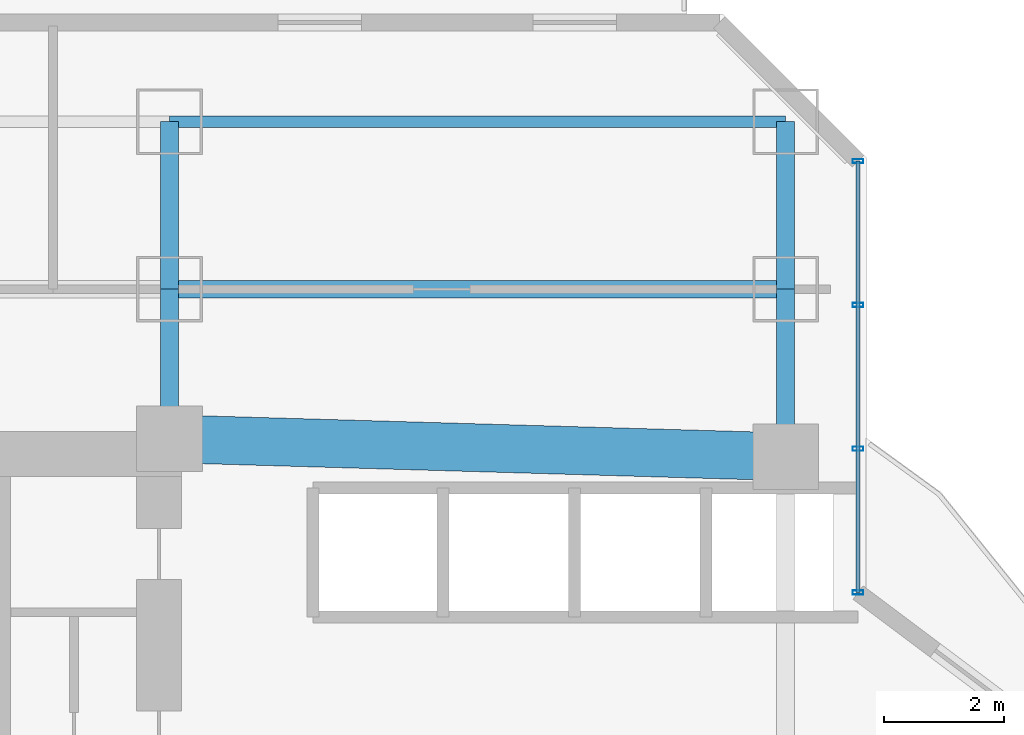
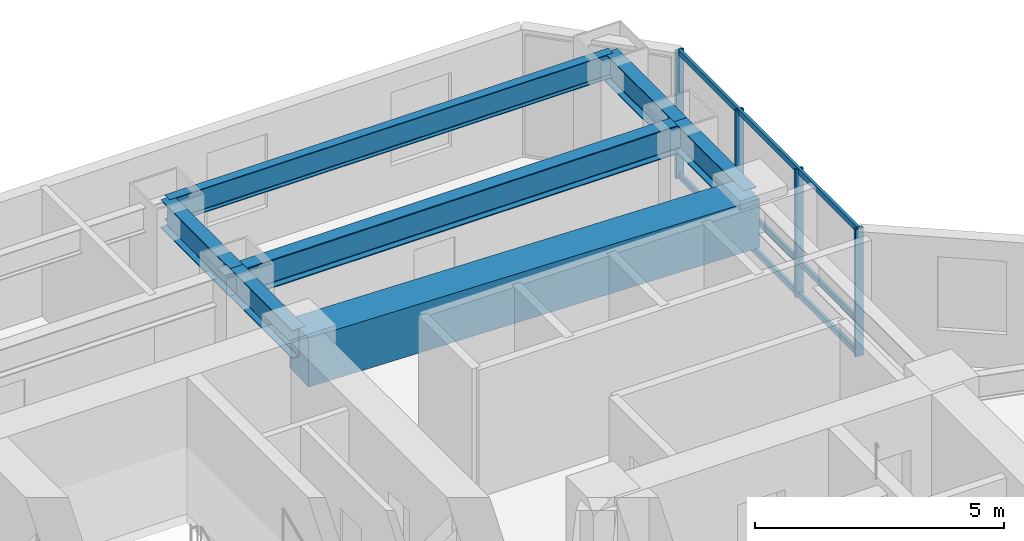
# One storey, part 24 of 38: 7 beams, 7 members, 1 element without a shape of its own.
"""IFC4 building model written with IfcOpenShell, lengths in metres."""

from ifc_helpers import new_model, si_unit, direction, frame, origin, origin_2d, place, context, subcontext, project, spatial, rectangle, hollow_rectangle, i_section, extrude, material, layer, layer_set, material_profile, profile_set, type_object, element, aggregate, save


model = new_model("IFC4")

# Units and contexts
model_context = context("Model", 3, precision=1e-05, world=origin(), true_north=direction((0.0, 1.0)))
body_context = subcontext(model_context, "Body", "Model", "MODEL_VIEW")
ifc_project = project(units=[si_unit("LENGTHUNIT", "METRE"), si_unit("AREAUNIT", "SQUARE_METRE"), si_unit("VOLUMEUNIT", "CUBIC_METRE"), si_unit("PLANEANGLEUNIT", "RADIAN"), si_unit("MASSUNIT", "GRAM", prefix="KILO")], contexts=[model_context])

# Site, building, storey
site_placement = place(None, origin())
site = spatial("IfcSite", under=ifc_project, at=site_placement, CompositionType="ELEMENT")
building_placement = place(site_placement, origin())
building = spatial("IfcBuilding", under=site, at=building_placement, Name="Hatsunagi Terrace Concourse", CompositionType="ELEMENT")
storey_placement = place(building_placement, frame((0.0, 0.0, 63.39990234375)))
storey = spatial("IfcBuildingStorey", under=building, at=storey_placement, Name="L16", CompositionType="ELEMENT", Elevation=63.39990234375)

# Beam
ifc_material_1 = material(Name="Concrete Fc60", Category="concrete")
ifc_material_profile_1 = material_profile(ifc_material_1, rectangle(XDim=0.800048828125, YDim=1.199951171875, at=origin_2d()), Name="RC-800x1200")
ifc_profile_set_1 = profile_set([ifc_material_profile_1], Name="Concrete Fc60")
beam_type_1 = type_object("IfcBeamType", Name="CoreCouplingBeam_RC_800x1200", PredefinedType="BEAM", material=ifc_profile_set_1)
beam_1_placement = place(storey_placement, frame((33.35009765625, 43.300048828125, 2.530029296875), z_axis=(0.999575947545, -0.029119153303, 0.0), x_axis=(0.029119153303, 0.999575947545, 0.0)))
element("IfcBeam", 1, at=beam_1_placement, inside=storey, type_object=beam_type_1, Name="Beam CB-01 CB-L16-2", PredefinedType="BEAM", context=body_context, shape_type="SweptSolid", body=[
    extrude(rectangle(XDim=0.800048828125, YDim=1.199951171875, at=origin_2d()), origin(), (0.0, 0.0, 1.0), 10.30419921875),
])

# Curtain wall, members
ifc_material_2 = material(Name="Anodised Aluminium Alloy 6063-T5", Category="aluminium")
ifc_layer = layer(ifc_material_2, 0.199951171875)
ifc_layer_set = layer_set([ifc_layer], Name="HotelFacade_CW02")
curtain_wall_type = type_object("IfcCurtainWallType", Name="HotelFacade_CW02", PredefinedType="NOTDEFINED", material=ifc_layer_set)
curtain_wall_placement = place(storey_placement, origin())
curtain_wall = element("IfcCurtainWall", 2, at=curtain_wall_placement, inside=storey, type_object=curtain_wall_type, Name="Unitised Curtain Wall CW-02 CW-L16-13", PredefinedType="NOTDEFINED")
ifc_material_3 = material(Name="Anodised Aluminium Alloy 6063-T5", Category="aluminium")
ifc_material_profile_2 = material_profile(ifc_material_3, hollow_rectangle(XDim=0.070068359375, YDim=0.179931640625, WallThickness=0.00390625, at=origin_2d()), Name="ALU-MUL-180x70x4")
ifc_profile_set_2 = profile_set([ifc_material_profile_2], Name="Anodised Aluminium Alloy 6063-T5")
member_type_1 = type_object("IfcMemberType", Name="CurtainWallMullion_180x70", PredefinedType="MULLION", material=ifc_profile_set_2)
member_1_placement = place(storey_placement, frame((44.860107421875, 47.94189453125, 0.0), z_axis=(0.0, 0.0, 1.0), x_axis=(0.0, -1.0, 0.0)))
member_1 = element("IfcMember", 3, at=member_1_placement, type_object=member_type_1, Name="Curtain Wall Mullion MUL-02", PredefinedType="MULLION", context=body_context, shape_type="SweptSolid", body=[
    extrude(hollow_rectangle(XDim=0.070068359375, YDim=0.179931640625, WallThickness=0.00390625, at=origin_2d()), origin(), (0.0, 0.0, 1.0), 3.130126953125),
])
member_2_placement = place(storey_placement, frame((44.860107421875, 45.5380859375, 0.0), z_axis=(0.0, 0.0, 1.0), x_axis=(0.0, -1.0, 0.0)))
member_2 = element("IfcMember", 4, at=member_2_placement, type_object=member_type_1, Name="Curtain Wall Mullion MUL-02", PredefinedType="MULLION", context=body_context, shape_type="SweptSolid", body=[
    extrude(hollow_rectangle(XDim=0.070068359375, YDim=0.179931640625, WallThickness=0.00390625, at=origin_2d()), origin(), (0.0, 0.0, 1.0), 3.130126953125),
])
member_3_placement = place(storey_placement, frame((44.860107421875, 43.134033203125, 0.0), z_axis=(0.0, 0.0, 1.0), x_axis=(0.0, -1.0, 0.0)))
member_3 = element("IfcMember", 5, at=member_3_placement, type_object=member_type_1, Name="Curtain Wall Mullion MUL-02", PredefinedType="MULLION", context=body_context, shape_type="SweptSolid", body=[
    extrude(hollow_rectangle(XDim=0.070068359375, YDim=0.179931640625, WallThickness=0.00390625, at=origin_2d()), origin(), (0.0, 0.0, 1.0), 3.130126953125),
])
member_4_placement = place(storey_placement, frame((44.860107421875, 40.72998046875, 0.0), z_axis=(0.0, 0.0, 1.0), x_axis=(0.0, -1.0, 0.0)))
member_4 = element("IfcMember", 6, at=member_4_placement, type_object=member_type_1, Name="Curtain Wall Mullion MUL-02", PredefinedType="MULLION", context=body_context, shape_type="SweptSolid", body=[
    extrude(hollow_rectangle(XDim=0.070068359375, YDim=0.179931640625, WallThickness=0.00390625, at=origin_2d()), origin(), (0.0, 0.0, 1.0), 3.130126953125),
])
ifc_material_4 = material(Name="Anodised Aluminium Alloy 6063-T5", Category="aluminium")
ifc_material_profile_3 = material_profile(ifc_material_4, hollow_rectangle(XDim=0.06494140625, YDim=0.139892578125, WallThickness=0.00390625, at=origin_2d()), Name="ALU-TRN-140x65x4")
ifc_profile_set_3 = profile_set([ifc_material_profile_3], Name="Anodised Aluminium Alloy 6063-T5")
member_type_2 = type_object("IfcMemberType", Name="CurtainWallTransom_140x65", PredefinedType="USERDEFINED", material=ifc_profile_set_3)
member_5_placement = place(storey_placement, frame((44.860107421875, 47.94189453125, 0.050048828125), z_axis=(0.0, -1.0, 0.0), x_axis=(1.0, 0.0, 0.0)))
member_5 = element("IfcMember", 7, at=member_5_placement, type_object=member_type_2, Name="Curtain Wall Transom TRN-02", ObjectType="TRANSOM", PredefinedType="USERDEFINED", context=body_context, shape_type="SweptSolid", body=[
    extrude(hollow_rectangle(XDim=0.06494140625, YDim=0.139892578125, WallThickness=0.00390625, at=origin_2d()), origin(), (0.0, 0.0, 1.0), 7.2119140625),
])
member_6_placement = place(storey_placement, frame((44.860107421875, 47.94189453125, 0.85009765625), z_axis=(0.0, -1.0, 0.0), x_axis=(1.0, 0.0, 0.0)))
member_6 = element("IfcMember", 8, at=member_6_placement, type_object=member_type_2, Name="Curtain Wall Transom TRN-02", ObjectType="TRANSOM", PredefinedType="USERDEFINED", context=body_context, shape_type="SweptSolid", body=[
    extrude(hollow_rectangle(XDim=0.06494140625, YDim=0.139892578125, WallThickness=0.00390625, at=origin_2d()), origin(), (0.0, 0.0, 1.0), 7.2119140625),
])
member_7_placement = place(storey_placement, frame((44.860107421875, 47.94189453125, 3.080078125), z_axis=(0.0, -1.0, 0.0), x_axis=(1.0, 0.0, 0.0)))
member_7 = element("IfcMember", 9, at=member_7_placement, type_object=member_type_2, Name="Curtain Wall Transom TRN-02", ObjectType="TRANSOM", PredefinedType="USERDEFINED", context=body_context, shape_type="SweptSolid", body=[
    extrude(hollow_rectangle(XDim=0.06494140625, YDim=0.139892578125, WallThickness=0.00390625, at=origin_2d()), origin(), (0.0, 0.0, 1.0), 7.2119140625),
])
aggregate(curtain_wall, [member_1, member_2, member_3, member_4, member_5, member_6, member_7])

# Beams
ifc_material_5 = material(Name="Steel SN490B", Category="steel")
ifc_material_profile_4 = material_profile(ifc_material_5, i_section(OverallWidth=0.300048828125, OverallDepth=0.699951171875, WebThickness=0.012939453125, FlangeThickness=0.02392578125, FilletRadius=0.02197265625, at=origin_2d()), Name="H-700x300x13x24")
ifc_profile_set_4 = profile_set([ifc_material_profile_4], Name="Steel SN490B")
beam_type_2 = type_object("IfcBeamType", Name="HotelFloorGirder_H_700x300", PredefinedType="BEAM", material=ifc_profile_set_4)
beam_2_placement = place(storey_placement, frame((33.35009765625, 43.300048828125, 2.780029296875), z_axis=(0.0, 1.0, 0.0), x_axis=(-1.0, 0.0, 0.0)))
element("IfcBeam", 10, at=beam_2_placement, inside=storey, type_object=beam_type_2, Name="Beam G-04 BM-L16-CN2", PredefinedType="BEAM", context=body_context, shape_type="SweptSolid", body=[
    extrude(i_section(OverallWidth=0.300048828125, OverallDepth=0.699951171875, WebThickness=0.012939453125, FlangeThickness=0.02392578125, FilletRadius=0.02197265625, at=origin_2d()), origin(), (0.0, 0.0, 1.0), 2.5),
])
beam_3_placement = place(storey_placement, frame((43.64990234375, 43.0, 2.780029296875), z_axis=(0.0, 1.0, 0.0), x_axis=(-1.0, 0.0, 0.0)))
element("IfcBeam", 11, at=beam_3_placement, inside=storey, type_object=beam_type_2, Name="Beam G-04 BM-L16-CN3", PredefinedType="BEAM", context=body_context, shape_type="SweptSolid", body=[
    extrude(i_section(OverallWidth=0.300048828125, OverallDepth=0.699951171875, WebThickness=0.012939453125, FlangeThickness=0.02392578125, FilletRadius=0.02197265625, at=origin_2d()), origin(), (0.0, 0.0, 1.0), 2.800048828125),
])
beam_4_placement = place(storey_placement, frame((33.35009765625, 45.800048828125, 2.780029296875), z_axis=(1.0, 0.0, 0.0), x_axis=(0.0, 1.0, 0.0)))
element("IfcBeam", 12, at=beam_4_placement, inside=storey, type_object=beam_type_2, Name="Beam G-04 BM-L16-CNEW2", PredefinedType="BEAM", context=body_context, shape_type="SweptSolid", body=[
    extrude(i_section(OverallWidth=0.300048828125, OverallDepth=0.699951171875, WebThickness=0.012939453125, FlangeThickness=0.02392578125, FilletRadius=0.02197265625, at=origin_2d()), origin(), (0.0, 0.0, 1.0), 10.2998046875),
])
for number, where, z_axis, x_axis, name in (
    (13, (33.35009765625, 45.800048828125, 2.780029296875), (0.0, 1.0, 0.0), (-1.0, 0.0, 0.0), "Beam G-04 BM-L16-KN-WN5"),
    (14, (43.64990234375, 45.800048828125, 2.780029296875), (0.0, 1.0, 0.0), (-1.0, 0.0, 0.0), "Beam G-04 BM-L16-KN-WN6"),
):
    element("IfcBeam", number, at=place(storey_placement, frame(where, z_axis=z_axis, x_axis=x_axis)), inside=storey, type_object=beam_type_2, Name=name, PredefinedType="BEAM", context=body_context, shape_type="SweptSolid", body=[
        extrude(i_section(OverallWidth=0.300048828125, OverallDepth=0.699951171875, WebThickness=0.012939453125, FlangeThickness=0.02392578125, FilletRadius=0.02197265625, at=origin_2d()), origin(), (0.0, 0.0, 1.0), 2.800048828125),
    ])
ifc_material_6 = material(Name="Steel SN490B", Category="steel")
ifc_material_profile_5 = material_profile(ifc_material_6, i_section(OverallWidth=0.199951171875, OverallDepth=0.60009765625, WebThickness=0.010986328125, FlangeThickness=0.01708984375, FilletRadius=0.01806640625, at=origin_2d()), Name="H-600x200x11x17")
ifc_profile_set_5 = profile_set([ifc_material_profile_5], Name="Steel SN490B")
beam_type_3 = type_object("IfcBeamType", Name="PerimeterSpandrel_H_600x200", PredefinedType="SPANDREL", material=ifc_profile_set_5)
beam_5_placement = place(storey_placement, frame((33.35009765625, 48.60009765625, 2.830078125), z_axis=(1.0, 0.0, 0.0), x_axis=(0.0, 1.0, 0.0)))
element("IfcBeam", 15, at=beam_5_placement, inside=storey, type_object=beam_type_3, Name="Beam SP-01 BM-L16-WN-33", PredefinedType="SPANDREL", context=body_context, shape_type="SweptSolid", body=[
    extrude(i_section(OverallWidth=0.199951171875, OverallDepth=0.60009765625, WebThickness=0.010986328125, FlangeThickness=0.01708984375, FilletRadius=0.01806640625, at=origin_2d()), origin(), (0.0, 0.0, 1.0), 10.2998046875),
])

save(model, "model.ifc")
